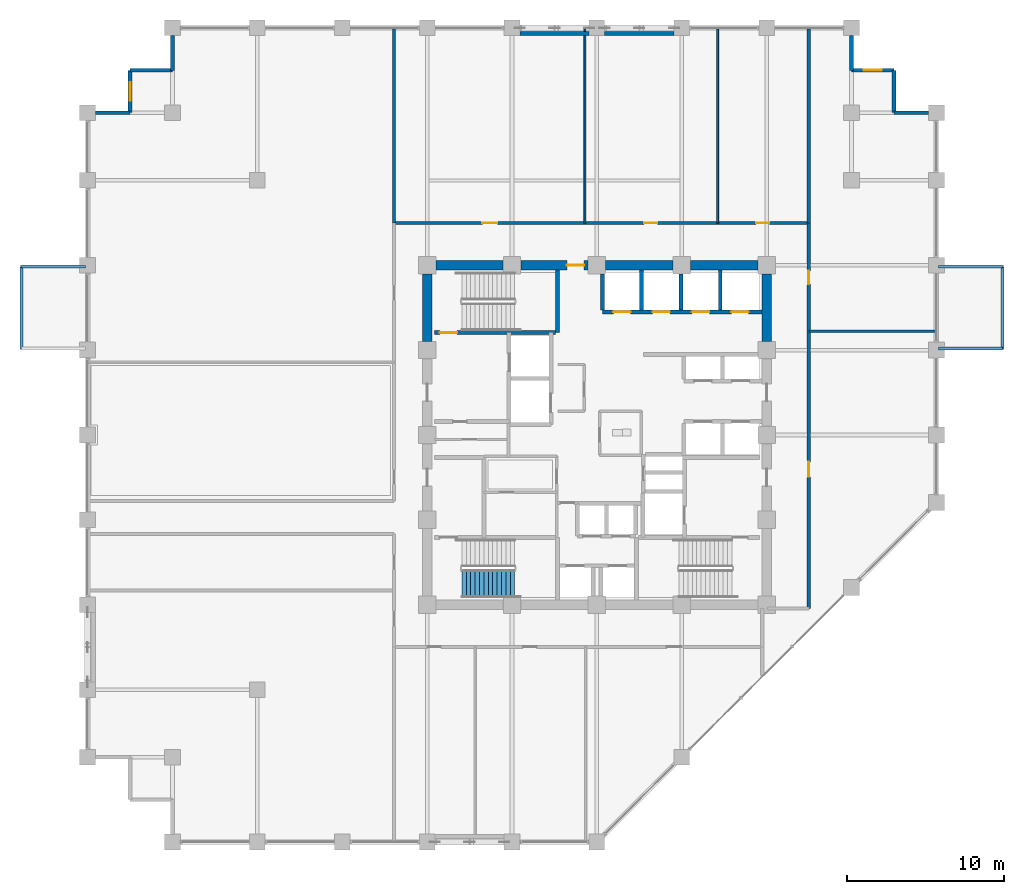
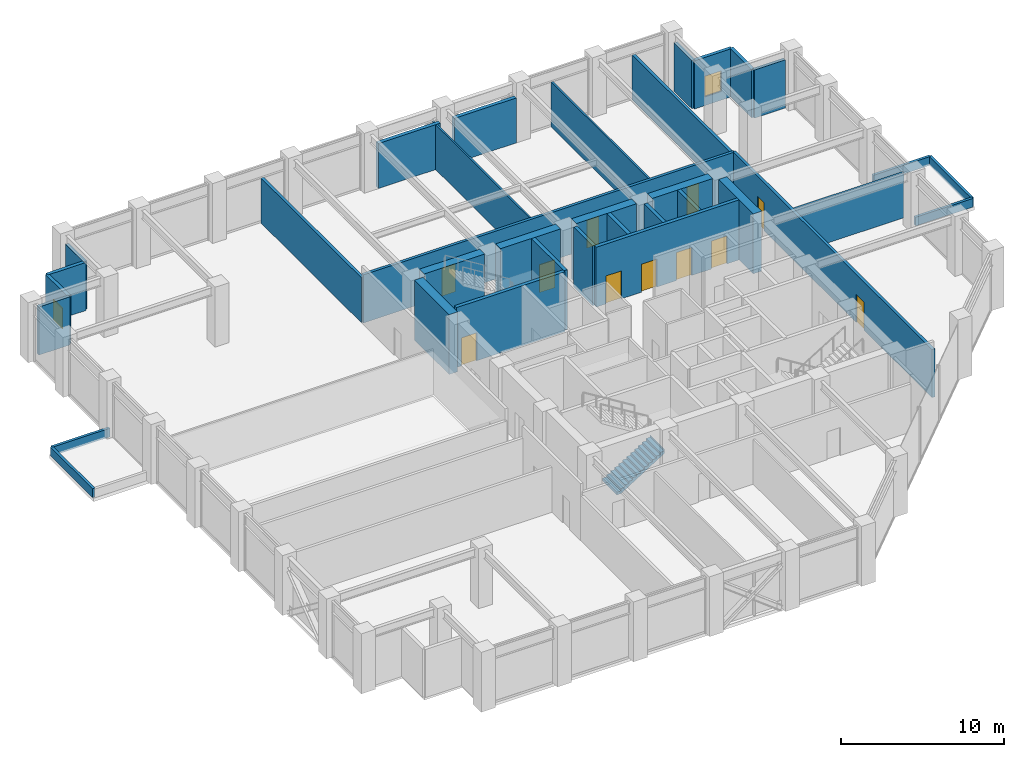
# One storey, part 21 of 25: 35 walls, 11 doors, 2 windows, 1 stair flight, 13 openings, 1 element without a shape of its own.
"""IFC4 building model written with IfcOpenShell, lengths in metres."""

from ifc_helpers import new_model, si_unit, direction, frame, frame_2d, origin, place, context, subcontext, project, spatial, polyline, rectangle, outline, extrude, material, layer, layer_set, type_object, element, fill, aggregate, save


model = new_model("IFC4")

# Units and contexts
model_context = context("Model", 3, precision=1e-05, world=origin(), true_north=direction((0.0, 1.0)))
body_context = subcontext(model_context, "Body", "Model", "MODEL_VIEW")
ifc_project = project(units=[si_unit("LENGTHUNIT", "METRE"), si_unit("AREAUNIT", "SQUARE_METRE"), si_unit("VOLUMEUNIT", "CUBIC_METRE"), si_unit("PLANEANGLEUNIT", "RADIAN"), si_unit("MASSUNIT", "GRAM", prefix="KILO")], contexts=[model_context])

# Site, building, storey
site_placement = place(None, origin())
site = spatial("IfcSite", under=ifc_project, at=site_placement, CompositionType="ELEMENT")
building_placement = place(site_placement, origin())
building = spatial("IfcBuilding", under=site, at=building_placement, Name="Surkhivell Harbour Commons", CompositionType="ELEMENT")
storey_placement = place(building_placement, frame((0.0, 0.0, 162.0)))
storey = spatial("IfcBuildingStorey", under=building, at=storey_placement, Name="L42", CompositionType="ELEMENT", Elevation=162.0)

# Wall
ifc_material_1 = material(Name="Concrete C60/75", Category="concrete")
ifc_layer_1 = layer(ifc_material_1, 0.60009765625)
ifc_layer_set_1 = layer_set([ifc_layer_1], Name="Concrete C60/75")
wall_type_1 = type_object("IfcWallType", Name="WAL-CORE-600", PredefinedType="SHEAR", material=ifc_layer_set_1)
wall_1_placement = place(storey_placement, frame((-10.239990234375, 10.800048828125, 0.0), z_axis=(0.0, 0.0, 1.0), x_axis=(1.0, 0.0, 0.0)))
element("IfcWall", 1, at=wall_1_placement, inside=storey, type_object=wall_type_1, Name="L42 Core Shear Wall North 1", PredefinedType="SHEAR", context=body_context, shape_type="SweptSolid", body=[
    extrude(rectangle(XDim=4.280029296875, YDim=0.60009765625, at=frame_2d((2.14013671875, 0.0))), origin(), (0.0, 0.0, 1.0), 4.5),
])

# Wall, opening, door
wall_2_placement = place(storey_placement, frame((-4.840087890625, 10.800048828125, 0.0), z_axis=(0.0, 0.0, 1.0), x_axis=(1.0, 0.0, 0.0)))
wall_2 = element("IfcWall", 2, at=wall_2_placement, inside=storey, type_object=wall_type_1, Name="L42 Core Shear Wall North 2", PredefinedType="SHEAR", context=body_context, shape_type="SweptSolid", body=[
    extrude(rectangle(XDim=4.280029296875, YDim=0.60009765625, at=frame_2d((2.14013671875, 0.0))), origin(), (0.0, 0.0, 1.0), 4.5),
])
opening_1_placement = place(wall_2_placement, frame((2.929931640625, 0.0, 0.0)))
opening_1 = element("IfcOpeningElement", 3, at=opening_1_placement, cuts=wall_2, Name="Opening ID-2", PredefinedType="OPENING", context=body_context, shape_type="SweptSolid", body=[
    extrude(rectangle(XDim=1.10009765625, YDim=2.10009765625, at=frame_2d((0.550048828125, 1.050048828125))), frame((0.0, 0.31005859375, 0.0), z_axis=(0.0, -1.0, 0.0), x_axis=(1.0, 0.0, 0.0)), (0.0, 0.0, 1.0), 0.6201171875),
])
ifc_material_2 = material(Name="Hardwood-veneered fire-rated door leaf", Category="wood")
door_type_1 = type_object("IfcDoorType", Name="DOR-FD60-1100", OperationType="NOTDEFINED", PredefinedType="DOOR", material=ifc_material_2)
door_1_placement = place(opening_1_placement, origin())
door_1 = element("IfcDoor", 4, at=door_1_placement, inside=storey, type_object=door_type_1, Name="L42 Central Core Lift Hall North Corridor Door", OperationType="SINGLE_SWING_LEFT", OverallHeight=2.10009765625, OverallWidth=1.10009765625, PredefinedType="DOOR", context=body_context, shape_type="SweptSolid", body=[
    extrude(rectangle(XDim=1.10009765625, YDim=2.10009765625, at=frame_2d((0.550048828125, 1.050048828125))), frame((0.0, 0.02490234375, 0.0), z_axis=(0.0, -1.0, 0.0), x_axis=(1.0, 0.0, 0.0)), (0.0, 0.0, 1.0), 0.050048828125),
])
fill(opening_1, door_1)

# Walls
for number, where, z_axis, x_axis, name in (
    (5, (0.56005859375, 10.800048828125, 0.0), (0.0, 0.0, 1.0), (1.0, 0.0, 0.0), "L42 Core Shear Wall North 3"),
    (6, (5.9599609375, 10.800048828125, 0.0), (0.0, 0.0, 1.0), (1.0, 0.0, 0.0), "L42 Core Shear Wall North 4"),
    (7, (-10.800048828125, 5.9599609375, 0.0), (0.0, 0.0, 1.0), (0.0, 1.0, 0.0), "L42 Core Shear Wall West 4"),
    (8, (10.800048828125, 5.9599609375, 0.0), (0.0, 0.0, 1.0), (0.0, 1.0, 0.0), "L42 Core Shear Wall East 4"),
):
    element("IfcWall", number, at=place(storey_placement, frame(where, z_axis=z_axis, x_axis=x_axis)), inside=storey, type_object=wall_type_1, Name=name, PredefinedType="SHEAR", context=body_context, shape_type="SweptSolid", body=[
        extrude(rectangle(XDim=4.280029296875, YDim=0.60009765625, at=frame_2d((2.14013671875, 0.0))), origin(), (0.0, 0.0, 1.0), 4.5),
    ])
ifc_material_3 = material(Name="Pale-metal insulated precast concrete C45/55", Category="concrete")
ifc_layer_2 = layer(ifc_material_3, 0.260009765625)
ifc_layer_set_2 = layer_set([ifc_layer_2], Name="Pale-metal insulated precast concrete C45/55")
wall_type_2 = type_object("IfcWallType", Name="WAL-EXT-MTL260", PredefinedType="STANDARD", material=ifc_layer_set_2)
for number, where, z_axis, x_axis, name in (
    (9, (-0.498046875, 25.5400390625, 0.0), (0.0, 0.0, 1.0), (-1.0, 0.0, 0.0), "L42 Braced-Bay Insulated Spandrel Backing N"),
    (10, (4.902099609375, 25.5400390625, 0.0), (0.0, 0.0, 1.0), (-1.0, 0.0, 0.0), "L42 Braced-Bay Insulated Spandrel Backing N2"),
):
    element("IfcWall", number, at=place(storey_placement, frame(where, z_axis=z_axis, x_axis=x_axis)), inside=storey, type_object=wall_type_2, Name=name, PredefinedType="STANDARD", context=body_context, shape_type="SweptSolid", body=[
        extrude(rectangle(XDim=4.404052734375, YDim=0.260009765625, at=frame_2d((2.2021484375, 0.0))), origin(), (0.0, 0.0, 1.0), 3.37890625),
    ])
ifc_material_4 = material(Name="Bronze-ochre cassette precast concrete C45/55", Category="concrete")
ifc_layer_3 = layer(ifc_material_4, 0.239990234375)
ifc_layer_set_3 = layer_set([ifc_layer_3], Name="Bronze-ochre cassette precast concrete C45/55")
wall_type_3 = type_object("IfcWallType", Name="WAL-EXT-OCH240", PredefinedType="STANDARD", material=ifc_layer_set_3)
wall_3_placement = place(storey_placement, frame((21.10205078125, 20.5, 0.0), z_axis=(0.0, 0.0, 1.0), x_axis=(-1.0, 0.0, 0.0)))
element("IfcWall", 11, at=wall_3_placement, inside=storey, type_object=wall_type_3, Name="L42 Serrated Corner Facade Wall 03", PredefinedType="STANDARD", context=body_context, shape_type="SweptSolid", body=[
    extrude(rectangle(XDim=2.2021484375, YDim=0.239990234375, at=frame_2d((1.10107421875, 0.0))), origin(), (0.0, 0.0, 1.0), 3.613037109375),
])
wall_4_placement = place(storey_placement, frame((18.89990234375, 20.5, 0.0), z_axis=(0.0, 0.0, 1.0), x_axis=(0.0, 1.0, 0.0)))
element("IfcWall", 12, at=wall_4_placement, inside=storey, type_object=wall_type_3, Name="L42 Serrated Corner Facade Wall 04", PredefinedType="STANDARD", context=body_context, shape_type="SweptSolid", body=[
    extrude(rectangle(XDim=2.699951171875, YDim=0.239990234375, at=frame_2d((1.35009765625, 0.0))), origin(), (0.0, 0.0, 1.0), 3.613037109375),
])

# Wall, opening, window
wall_5_placement = place(storey_placement, frame((18.89990234375, 23.199951171875, 0.0), z_axis=(0.0, 0.0, 1.0), x_axis=(-1.0, 0.0, 0.0)))
wall_5 = element("IfcWall", 13, at=wall_5_placement, inside=storey, type_object=wall_type_3, Name="L42 Serrated Corner Facade Wall 05", PredefinedType="STANDARD", context=body_context, shape_type="SweptSolid", body=[
    extrude(rectangle(XDim=2.699951171875, YDim=0.239990234375, at=frame_2d((1.35009765625, 0.0))), origin(), (0.0, 0.0, 1.0), 3.613037109375),
])
opening_2_placement = place(wall_5_placement, frame((0.77490234375, 0.0, 0.64990234375)))
opening_2 = element("IfcOpeningElement", 14, at=opening_2_placement, cuts=wall_5, Name="Opening WN-10", PredefinedType="OPENING", context=body_context, shape_type="SweptSolid", body=[
    extrude(rectangle(XDim=1.14990234375, YDim=1.550048828125, at=frame_2d((0.574951171875, 0.77490234375))), frame((0.0, 0.1298828125, 0.0), z_axis=(0.0, -1.0, 0.0), x_axis=(1.0, 0.0, 0.0)), (0.0, 0.0, 1.0), 0.260009765625),
])
ifc_material_5 = material(Name="Thermal-break aluminium frame and double low-E glazing", Category="aluminium")
window_type = type_object("IfcWindowType", Name="WIN-SER-1150x1550", PartitioningType="SINGLE_PANEL", PredefinedType="WINDOW", material=ifc_material_5)
window_1_placement = place(opening_2_placement, origin())
window_1 = element("IfcWindow", 15, at=window_1_placement, inside=storey, type_object=window_type, Name="L42 Serrated Alcove Window 05", OverallHeight=1.550048828125, OverallWidth=1.14990234375, PartitioningType="SINGLE_PANEL", PredefinedType="WINDOW", context=body_context, shape_type="SweptSolid", body=[
    extrude(rectangle(XDim=1.14990234375, YDim=1.550048828125, at=frame_2d((0.574951171875, 0.77490234375))), frame((0.0, 0.030029296875, 0.0), z_axis=(0.0, -1.0, 0.0), x_axis=(1.0, 0.0, 0.0)), (0.0, 0.0, 1.0), 0.06005859375),
])
fill(opening_2, window_1)

# Walls
for number, where, z_axis, x_axis, name in (
    (16, (16.199951171875, 23.199951171875, 0.0), (0.0, 0.0, 1.0), (0.0, 1.0, 0.0), "L42 Serrated Corner Facade Wall 06"),
    (17, (-27.0, 25.402099609375, 0.0), (0.0, 0.0, 1.0), (0.0, -1.0, 0.0), "L42 Serrated Corner Facade Wall 08"),
):
    element("IfcWall", number, at=place(storey_placement, frame(where, z_axis=z_axis, x_axis=x_axis)), inside=storey, type_object=wall_type_3, Name=name, PredefinedType="STANDARD", context=body_context, shape_type="SweptSolid", body=[
        extrude(rectangle(XDim=2.2021484375, YDim=0.239990234375, at=frame_2d((1.10107421875, 0.0))), origin(), (0.0, 0.0, 1.0), 3.613037109375),
    ])
wall_6_placement = place(storey_placement, frame((-27.0, 23.199951171875, 0.0), z_axis=(0.0, 0.0, 1.0), x_axis=(-1.0, 0.0, 0.0)))
element("IfcWall", 18, at=wall_6_placement, inside=storey, type_object=wall_type_3, Name="L42 Serrated Corner Facade Wall 09", PredefinedType="STANDARD", context=body_context, shape_type="SweptSolid", body=[
    extrude(rectangle(XDim=2.699951171875, YDim=0.239990234375, at=frame_2d((1.35009765625, 0.0))), origin(), (0.0, 0.0, 1.0), 3.613037109375),
])

# Wall, opening, window
wall_7_placement = place(storey_placement, frame((-29.699951171875, 23.199951171875, 0.0), z_axis=(0.0, 0.0, 1.0), x_axis=(0.0, -1.0, 0.0)))
wall_7 = element("IfcWall", 19, at=wall_7_placement, inside=storey, type_object=wall_type_3, Name="L42 Serrated Corner Facade Wall 10", PredefinedType="STANDARD", context=body_context, shape_type="SweptSolid", body=[
    extrude(rectangle(XDim=2.699951171875, YDim=0.239990234375, at=frame_2d((1.35009765625, 0.0))), origin(), (0.0, 0.0, 1.0), 3.613037109375),
])
opening_3_placement = place(wall_7_placement, frame((0.77490234375, 0.0, 0.64990234375)))
opening_3 = element("IfcOpeningElement", 20, at=opening_3_placement, cuts=wall_7, Name="Opening WN-10", PredefinedType="OPENING", context=body_context, shape_type="SweptSolid", body=[
    extrude(rectangle(XDim=1.14990234375, YDim=1.550048828125, at=frame_2d((0.574951171875, 0.77490234375))), frame((0.0, 0.1298828125, 0.0), z_axis=(0.0, -1.0, 0.0), x_axis=(1.0, 0.0, 0.0)), (0.0, 0.0, 1.0), 0.260009765625),
])
window_2_placement = place(opening_3_placement, origin())
window_2 = element("IfcWindow", 21, at=window_2_placement, inside=storey, type_object=window_type, Name="L42 Serrated Alcove Window 10", OverallHeight=1.550048828125, OverallWidth=1.14990234375, PartitioningType="SINGLE_PANEL", PredefinedType="WINDOW", context=body_context, shape_type="SweptSolid", body=[
    extrude(rectangle(XDim=1.14990234375, YDim=1.550048828125, at=frame_2d((0.574951171875, 0.77490234375))), frame((0.0, 0.030029296875, 0.0), z_axis=(0.0, -1.0, 0.0), x_axis=(1.0, 0.0, 0.0)), (0.0, 0.0, 1.0), 0.06005859375),
])
fill(opening_3, window_2)

# Walls
wall_8_placement = place(storey_placement, frame((-29.699951171875, 20.5, 0.0), z_axis=(0.0, 0.0, 1.0), x_axis=(-1.0, 0.0, 0.0)))
element("IfcWall", 22, at=wall_8_placement, inside=storey, type_object=wall_type_3, Name="L42 Serrated Corner Facade Wall 11", PredefinedType="STANDARD", context=body_context, shape_type="SweptSolid", body=[
    extrude(rectangle(XDim=2.2021484375, YDim=0.239990234375, at=frame_2d((1.10107421875, 0.0))), origin(), (0.0, 0.0, 1.0), 3.613037109375),
])
ifc_material_6 = material(Name="Moisture-resistant acoustic stud partition", Category="other")
ifc_layer_4 = layer(ifc_material_6, 0.125)
ifc_layer_set_4 = layer_set([ifc_layer_4], Name="Moisture-resistant acoustic stud partition")
wall_type_4 = type_object("IfcWallType", Name="WAL-INT-125", PredefinedType="PARTITIONING", material=ifc_layer_set_4)
for number, where, z_axis, x_axis, name in (
    (23, (-0.77001953125, 13.47998046875, 0.0), (0.0, 0.0, 1.0), (0.0, 1.0, 0.0), "L42 North Partition P1"),
    (24, (7.679931640625, 13.47998046875, 0.0), (0.0, 0.0, 1.0), (0.0, 1.0, 0.0), "L42 North Partition P2"),
):
    element("IfcWall", number, at=place(storey_placement, frame(where, z_axis=z_axis, x_axis=x_axis)), inside=storey, type_object=wall_type_4, Name=name, PredefinedType="PARTITIONING", context=body_context, shape_type="SweptSolid", body=[
        extrude(rectangle(XDim=12.360107421875, YDim=0.125, at=frame_2d((6.18017578125, 0.0))), origin(), (0.0, 0.0, 1.0), 3.37890625),
    ])
ifc_material_7 = material(Name="Twin-stud acoustic fireboard partition", Category="other")
ifc_layer_5 = layer(ifc_material_7, 0.14990234375)
ifc_layer_set_5 = layer_set([ifc_layer_5], Name="Twin-stud acoustic fireboard partition")
wall_type_5 = type_object("IfcWallType", Name="WAL-INT-150", PredefinedType="PARTITIONING", material=ifc_layer_set_5)
wall_9_placement = place(storey_placement, frame((13.47998046875, 6.610107421875, 0.0), z_axis=(0.0, 0.0, 1.0), x_axis=(1.0, 0.0, 0.0)))
element("IfcWall", 25, at=wall_9_placement, inside=storey, type_object=wall_type_5, Name="L42 East Partition P1", PredefinedType="PARTITIONING", context=body_context, shape_type="SweptSolid", body=[
    extrude(rectangle(XDim=8.06005859375, YDim=0.14990234375, at=frame_2d((4.030029296875, 0.0))), origin(), (0.0, 0.0, 1.0), 3.37890625),
])
ifc_material_8 = material(Name="Autoclaved aerated concrete blockwork and fire plaster", Category="masonry")
ifc_layer_6 = layer(ifc_material_8, 0.199951171875)
ifc_layer_set_6 = layer_set([ifc_layer_6], Name="Autoclaved aerated concrete blockwork and fire plaster")
wall_type_6 = type_object("IfcWallType", Name="WAL-INT-200", PredefinedType="PARTITIONING", material=ifc_layer_set_6)
for number, where, z_axis, x_axis, name in (
    (26, (13.47998046875, 13.47998046875, 0.0), (0.0, 0.0, 1.0), (0.0, 1.0, 0.0), "L42 North-East Wing Corner Divider"),
    (27, (-12.89990234375, 13.47998046875, 0.0), (0.0, 0.0, 1.0), (0.0, 1.0, 0.0), "L42 North-West Wing Corner Divider"),
):
    element("IfcWall", number, at=place(storey_placement, frame(where, z_axis=z_axis, x_axis=x_axis)), inside=storey, type_object=wall_type_6, Name=name, PredefinedType="PARTITIONING", context=body_context, shape_type="SweptSolid", body=[
        extrude(rectangle(XDim=12.360107421875, YDim=0.199951171875, at=frame_2d((6.18017578125, 0.0))), origin(), (0.0, 0.0, 1.0), 3.37890625),
    ])

# Wall, openings, doors
wall_10_placement = place(storey_placement, frame((13.47998046875, -11.0400390625, 0.0), z_axis=(0.0, 0.0, 1.0), x_axis=(0.0, 1.0, 0.0)))
wall_10 = element("IfcWall", 28, at=wall_10_placement, inside=storey, type_object=wall_type_6, Name="L42 Corridor East Wall", PredefinedType="PARTITIONING", context=body_context, shape_type="SweptSolid", body=[
    extrude(rectangle(XDim=24.52001953125, YDim=0.199951171875, at=frame_2d((12.260009765625, 0.0))), origin(), (0.0, 0.0, 1.0), 3.613037109375),
])
opening_4_placement = place(wall_10_placement, frame((8.375, 0.0, 0.0)))
opening_4 = element("IfcOpeningElement", 29, at=opening_4_placement, cuts=wall_10, Name="Opening ID-4", PredefinedType="OPENING", context=body_context, shape_type="SweptSolid", body=[
    extrude(rectangle(XDim=0.949951171875, YDim=2.10009765625, at=frame_2d((0.47509765625, 1.050048828125))), frame((0.0, 0.10986328125, 0.0), z_axis=(0.0, -1.0, 0.0), x_axis=(1.0, 0.0, 0.0)), (0.0, 0.0, 1.0), 0.219970703125),
])
opening_5_placement = place(wall_10_placement, frame((20.635009765625, 0.0, 0.0)))
opening_5 = element("IfcOpeningElement", 30, at=opening_5_placement, cuts=wall_10, Name="Opening ID-6", PredefinedType="OPENING", context=body_context, shape_type="SweptSolid", body=[
    extrude(rectangle(XDim=0.85009765625, YDim=2.10009765625, at=frame_2d((0.425048828125, 1.050048828125))), frame((0.0, 0.10986328125, 0.0), z_axis=(0.0, -1.0, 0.0), x_axis=(1.0, 0.0, 0.0)), (0.0, 0.0, 1.0), 0.219970703125),
])
door_type_2 = type_object("IfcDoorType", Name="DOR-FD30-850", OperationType="NOTDEFINED", PredefinedType="DOOR", material=ifc_material_2)
door_2_placement = place(opening_5_placement, origin())
door_2 = element("IfcDoor", 31, at=door_2_placement, inside=storey, type_object=door_type_2, Name="L42 Resident Advisory Reception Desk East Door", OperationType="SINGLE_SWING_RIGHT", OverallHeight=2.10009765625, OverallWidth=0.85009765625, PredefinedType="DOOR", context=body_context, shape_type="SweptSolid", body=[
    extrude(rectangle(XDim=0.85009765625, YDim=2.10009765625, at=frame_2d((0.425048828125, 1.050048828125))), frame((0.0, 0.02490234375, 0.0), z_axis=(0.0, -1.0, 0.0), x_axis=(1.0, 0.0, 0.0)), (0.0, 0.0, 1.0), 0.050048828125),
])
fill(opening_5, door_2)
door_type_3 = type_object("IfcDoorType", Name="DOR-FD60-950", OperationType="NOTDEFINED", PredefinedType="DOOR", material=ifc_material_2)
door_3_placement = place(opening_4_placement, origin())
door_3 = element("IfcDoor", 32, at=door_3_placement, inside=storey, type_object=door_type_3, Name="L42 Zone Concierge Reception Foyer East Door", OperationType="SINGLE_SWING_LEFT", OverallHeight=2.10009765625, OverallWidth=0.949951171875, PredefinedType="DOOR", context=body_context, shape_type="SweptSolid", body=[
    extrude(rectangle(XDim=0.949951171875, YDim=2.10009765625, at=frame_2d((0.47509765625, 1.050048828125))), frame((0.0, 0.02490234375, 0.0), z_axis=(0.0, -1.0, 0.0), x_axis=(1.0, 0.0, 0.0)), (0.0, 0.0, 1.0), 0.050048828125),
])
fill(opening_4, door_3)

wall_11_placement = place(storey_placement, frame((-12.89990234375, 13.47998046875, 0.0), z_axis=(0.0, 0.0, 1.0), x_axis=(1.0, 0.0, 0.0)))
wall_11 = element("IfcWall", 33, at=wall_11_placement, inside=storey, type_object=wall_type_6, Name="L42 Corridor North Wall", PredefinedType="PARTITIONING", context=body_context, shape_type="SweptSolid", body=[
    extrude(rectangle(XDim=26.3798828125, YDim=0.199951171875, at=frame_2d((13.18994140625, 0.0))), origin(), (0.0, 0.0, 1.0), 3.613037109375),
])
opening_6_placement = place(wall_11_placement, frame((5.614990234375, 0.0, 0.0)))
opening_6 = element("IfcOpeningElement", 34, at=opening_6_placement, cuts=wall_11, Name="Opening ID-4", PredefinedType="OPENING", context=body_context, shape_type="SweptSolid", body=[
    extrude(rectangle(XDim=0.949951171875, YDim=2.10009765625, at=frame_2d((0.47509765625, 1.050048828125))), frame((0.0, 0.10986328125, 0.0), z_axis=(0.0, -1.0, 0.0), x_axis=(1.0, 0.0, 0.0)), (0.0, 0.0, 1.0), 0.219970703125),
])
opening_7_placement = place(wall_11_placement, frame((15.905029296875, 0.0, 0.0)))
opening_7 = element("IfcOpeningElement", 35, at=opening_7_placement, cuts=wall_11, Name="Opening ID-6", PredefinedType="OPENING", context=body_context, shape_type="SweptSolid", body=[
    extrude(rectangle(XDim=0.85009765625, YDim=2.10009765625, at=frame_2d((0.425048828125, 1.050048828125))), frame((0.0, 0.10986328125, 0.0), z_axis=(0.0, -1.0, 0.0), x_axis=(1.0, 0.0, 0.0)), (0.0, 0.0, 1.0), 0.219970703125),
])
opening_8_placement = place(wall_11_placement, frame((23.030029296875, 0.0, 0.0)))
opening_8 = element("IfcOpeningElement", 36, at=opening_8_placement, cuts=wall_11, Name="Opening ID-6", PredefinedType="OPENING", context=body_context, shape_type="SweptSolid", body=[
    extrude(rectangle(XDim=0.85009765625, YDim=2.10009765625, at=frame_2d((0.425048828125, 1.050048828125))), frame((0.0, 0.10986328125, 0.0), z_axis=(0.0, -1.0, 0.0), x_axis=(1.0, 0.0, 0.0)), (0.0, 0.0, 1.0), 0.219970703125),
])
door_4_placement = place(opening_7_placement, origin())
door_4 = element("IfcDoor", 37, at=door_4_placement, inside=storey, type_object=door_type_2, Name="L42 Harbour Social Lounge North Door", OperationType="SINGLE_SWING_LEFT", OverallHeight=2.10009765625, OverallWidth=0.85009765625, PredefinedType="DOOR", context=body_context, shape_type="SweptSolid", body=[
    extrude(rectangle(XDim=0.85009765625, YDim=2.10009765625, at=frame_2d((0.425048828125, 1.050048828125))), frame((0.0, 0.02490234375, 0.0), z_axis=(0.0, -1.0, 0.0), x_axis=(1.0, 0.0, 0.0)), (0.0, 0.0, 1.0), 0.050048828125),
])
fill(opening_7, door_4)
door_5_placement = place(opening_8_placement, origin())
door_5 = element("IfcDoor", 38, at=door_5_placement, inside=storey, type_object=door_type_2, Name="L42 Resident Social Lounge 3 North Door", OperationType="SINGLE_SWING_RIGHT", OverallHeight=2.10009765625, OverallWidth=0.85009765625, PredefinedType="DOOR", context=body_context, shape_type="SweptSolid", body=[
    extrude(rectangle(XDim=0.85009765625, YDim=2.10009765625, at=frame_2d((0.425048828125, 1.050048828125))), frame((0.0, 0.02490234375, 0.0), z_axis=(0.0, -1.0, 0.0), x_axis=(1.0, 0.0, 0.0)), (0.0, 0.0, 1.0), 0.050048828125),
])
fill(opening_8, door_5)
door_6_placement = place(opening_6_placement, origin())
door_6 = element("IfcDoor", 39, at=door_6_placement, inside=storey, type_object=door_type_3, Name="L42 Harbour Social Lounge North Door", OperationType="SINGLE_SWING_RIGHT", OverallHeight=2.10009765625, OverallWidth=0.949951171875, PredefinedType="DOOR", context=body_context, shape_type="SweptSolid", body=[
    extrude(rectangle(XDim=0.949951171875, YDim=2.10009765625, at=frame_2d((0.47509765625, 1.050048828125))), frame((0.0, 0.02490234375, 0.0), z_axis=(0.0, -1.0, 0.0), x_axis=(1.0, 0.0, 0.0)), (0.0, 0.0, 1.0), 0.050048828125),
])
fill(opening_6, door_6)

# Walls
ifc_material_9 = material(Name="Anodised aluminium and precast concrete C40/50", Category="concrete")
ifc_layer_7 = layer(ifc_material_9, 0.18505859375)
ifc_layer_set_7 = layer_set([ifc_layer_7], Name="Anodised aluminium and precast concrete C40/50")
wall_type_7 = type_object("IfcWallType", Name="WAL-PAR-185", PredefinedType="PARAPET", material=ifc_layer_set_7)
wall_12_placement = place(storey_placement, frame((21.719970703125, 5.5, 0.0), z_axis=(0.0, 0.0, 1.0), x_axis=(1.0, 0.0, 0.0)))
element("IfcWall", 40, at=wall_12_placement, inside=storey, type_object=wall_type_7, Name="L42 Box Roof Coping Parapet 1-1", PredefinedType="PARAPET", context=body_context, shape_type="SweptSolid", body=[
    extrude(rectangle(XDim=4.080078125, YDim=0.18505859375, at=frame_2d((2.0400390625, 0.0))), origin(), (0.0, 0.0, 1.0), 0.64990234375),
])
wall_13_placement = place(storey_placement, frame((25.800048828125, 5.5, 0.0), z_axis=(0.0, 0.0, 1.0), x_axis=(0.0, 1.0, 0.0)))
element("IfcWall", 41, at=wall_13_placement, inside=storey, type_object=wall_type_7, Name="L42 Box Roof Coping Parapet 1-2", PredefinedType="PARAPET", context=body_context, shape_type="SweptSolid", body=[
    extrude(rectangle(XDim=5.199951171875, YDim=0.18505859375, at=frame_2d((2.60009765625, 0.0))), origin(), (0.0, 0.0, 1.0), 0.64990234375),
])
for number, where, z_axis, x_axis, name in (
    (42, (25.800048828125, 10.699951171875, 0.0), (0.0, 0.0, 1.0), (-1.0, 0.0, 0.0), "L42 Box Roof Coping Parapet 1-3"),
    (43, (-32.52001953125, 10.699951171875, 0.0), (0.0, 0.0, 1.0), (-1.0, 0.0, 0.0), "L42 Box Roof Coping Parapet 2-1"),
):
    element("IfcWall", number, at=place(storey_placement, frame(where, z_axis=z_axis, x_axis=x_axis)), inside=storey, type_object=wall_type_7, Name=name, PredefinedType="PARAPET", context=body_context, shape_type="SweptSolid", body=[
        extrude(rectangle(XDim=4.080078125, YDim=0.18505859375, at=frame_2d((2.0400390625, 0.0))), origin(), (0.0, 0.0, 1.0), 0.64990234375),
    ])
wall_14_placement = place(storey_placement, frame((-36.60009765625, 10.699951171875, 0.0), z_axis=(0.0, 0.0, 1.0), x_axis=(0.0, -1.0, 0.0)))
element("IfcWall", 44, at=wall_14_placement, inside=storey, type_object=wall_type_7, Name="L42 Box Roof Coping Parapet 2-2", PredefinedType="PARAPET", context=body_context, shape_type="SweptSolid", body=[
    extrude(rectangle(XDim=5.199951171875, YDim=0.18505859375, at=frame_2d((2.60009765625, 0.0))), origin(), (0.0, 0.0, 1.0), 0.64990234375),
])
ifc_material_10 = material(Name="Concrete C50/60", Category="concrete")
ifc_layer_8 = layer(ifc_material_10, 0.25)
ifc_layer_set_8 = layer_set([ifc_layer_8], Name="Concrete C50/60")
wall_type_8 = type_object("IfcWallType", Name="WAL-SHAFT-250", PredefinedType="SHEAR", material=ifc_layer_set_8)
wall_15_placement = place(storey_placement, frame((2.85009765625, 7.93994140625, 0.0), z_axis=(0.0, 0.0, 1.0), x_axis=(0.0, 1.0, 0.0)))
element("IfcWall", 45, at=wall_15_placement, inside=storey, type_object=wall_type_8, Name="L42 Low-Rise Hoistway Wall", PredefinedType="SHEAR", context=body_context, shape_type="SweptSolid", body=[
    extrude(rectangle(XDim=2.56005859375, YDim=0.25, at=frame_2d((1.280029296875, 0.0))), origin(), (0.0, 0.0, 1.0), 4.5),
])
for number, where, z_axis, x_axis, name in (
    (46, (0.35009765625, 7.93994140625, 0.0), (0.0, 0.0, 1.0), (0.0, 1.0, 0.0), "L42 Low-Rise Hoistway Wall"),
    (47, (5.35009765625, 7.93994140625, 0.0), (0.0, 0.0, 1.0), (0.0, 1.0, 0.0), "L42 Low-Rise Hoistway Wall"),
):
    element("IfcWall", number, at=place(storey_placement, frame(where, z_axis=z_axis, x_axis=x_axis)), inside=storey, type_object=wall_type_8, Name=name, PredefinedType="SHEAR", context=body_context, shape_type="SweptSolid", body=[
        extrude(rectangle(XDim=2.31005859375, YDim=0.25, at=frame_2d((1.155029296875, 0.0))), origin(), (0.0, 0.0, 1.0), 4.5),
    ])
wall_16_placement = place(storey_placement, frame((7.85009765625, 7.93994140625, 0.0), z_axis=(0.0, 0.0, 1.0), x_axis=(0.0, 1.0, 0.0)))
element("IfcWall", 48, at=wall_16_placement, inside=storey, type_object=wall_type_8, Name="L42 Low-Rise Hoistway Wall", PredefinedType="SHEAR", context=body_context, shape_type="SweptSolid", body=[
    extrude(rectangle(XDim=2.56005859375, YDim=0.25, at=frame_2d((1.280029296875, 0.0))), origin(), (0.0, 0.0, 1.0), 4.5),
])

# Wall, openings, doors
wall_17_placement = place(storey_placement, frame((0.35009765625, 7.820068359375, 0.0), z_axis=(0.0, 0.0, 1.0), x_axis=(1.0, 0.0, 0.0)))
wall_17 = element("IfcWall", 49, at=wall_17_placement, inside=storey, type_object=wall_type_8, Name="L42 Low-Rise Lift Front Shaft Wall", PredefinedType="SHEAR", context=body_context, shape_type="SweptSolid", body=[
    extrude(rectangle(XDim=10.14990234375, YDim=0.25, at=frame_2d((5.074951171875, 0.0))), origin(), (0.0, 0.0, 1.0), 4.5),
])
opening_9_placement = place(wall_17_placement, frame((0.699951171875, 0.0, 0.0)))
opening_9 = element("IfcOpeningElement", 50, at=opening_9_placement, cuts=wall_17, Name="Opening LD-1", PredefinedType="OPENING", context=body_context, shape_type="SweptSolid", body=[
    extrude(rectangle(XDim=1.10009765625, YDim=2.10009765625, at=frame_2d((0.550048828125, 1.050048828125))), frame((0.0, 0.135009765625, 0.0), z_axis=(0.0, -1.0, 0.0), x_axis=(1.0, 0.0, 0.0)), (0.0, 0.0, 1.0), 0.27001953125),
])
opening_10_placement = place(wall_17_placement, frame((3.199951171875, 0.0, 0.0)))
opening_10 = element("IfcOpeningElement", 51, at=opening_10_placement, cuts=wall_17, Name="Opening LD-1", PredefinedType="OPENING", context=body_context, shape_type="SweptSolid", body=[
    extrude(rectangle(XDim=1.10009765625, YDim=2.10009765625, at=frame_2d((0.550048828125, 1.050048828125))), frame((0.0, 0.135009765625, 0.0), z_axis=(0.0, -1.0, 0.0), x_axis=(1.0, 0.0, 0.0)), (0.0, 0.0, 1.0), 0.27001953125),
])
opening_11_placement = place(wall_17_placement, frame((5.699951171875, 0.0, 0.0)))
opening_11 = element("IfcOpeningElement", 52, at=opening_11_placement, cuts=wall_17, Name="Opening LD-1", PredefinedType="OPENING", context=body_context, shape_type="SweptSolid", body=[
    extrude(rectangle(XDim=1.10009765625, YDim=2.10009765625, at=frame_2d((0.550048828125, 1.050048828125))), frame((0.0, 0.135009765625, 0.0), z_axis=(0.0, -1.0, 0.0), x_axis=(1.0, 0.0, 0.0)), (0.0, 0.0, 1.0), 0.27001953125),
])
opening_12_placement = place(wall_17_placement, frame((8.199951171875, 0.0, 0.0)))
opening_12 = element("IfcOpeningElement", 53, at=opening_12_placement, cuts=wall_17, Name="Opening LD-1", PredefinedType="OPENING", context=body_context, shape_type="SweptSolid", body=[
    extrude(rectangle(XDim=1.10009765625, YDim=2.10009765625, at=frame_2d((0.550048828125, 1.050048828125))), frame((0.0, 0.135009765625, 0.0), z_axis=(0.0, -1.0, 0.0), x_axis=(1.0, 0.0, 0.0)), (0.0, 0.0, 1.0), 0.27001953125),
])
ifc_material_11 = material(Name="Brushed stainless steel S355", Category="steel")
door_type_4 = type_object("IfcDoorType", Name="DOR-LD-1100", OperationType="SLIDING_TO_LEFT", PredefinedType="DOOR", material=ifc_material_11)
door_7_placement = place(opening_9_placement, origin())
door_7 = element("IfcDoor", 54, at=door_7_placement, inside=storey, type_object=door_type_4, Name="L42 Lift Landing Door LD-PL1", OperationType="SLIDING_TO_LEFT", OverallHeight=2.10009765625, OverallWidth=1.10009765625, PredefinedType="DOOR", context=body_context, shape_type="SweptSolid", body=[
    extrude(rectangle(XDim=1.10009765625, YDim=2.10009765625, at=frame_2d((0.550048828125, 1.050048828125))), frame((0.0, 0.02490234375, 0.0), z_axis=(0.0, -1.0, 0.0), x_axis=(1.0, 0.0, 0.0)), (0.0, 0.0, 1.0), 0.050048828125),
])
fill(opening_9, door_7)
door_8_placement = place(opening_10_placement, origin())
door_8 = element("IfcDoor", 55, at=door_8_placement, inside=storey, type_object=door_type_4, Name="L42 Lift Landing Door LD-PL2", OperationType="SLIDING_TO_LEFT", OverallHeight=2.10009765625, OverallWidth=1.10009765625, PredefinedType="DOOR", context=body_context, shape_type="SweptSolid", body=[
    extrude(rectangle(XDim=1.10009765625, YDim=2.10009765625, at=frame_2d((0.550048828125, 1.050048828125))), frame((0.0, 0.02490234375, 0.0), z_axis=(0.0, -1.0, 0.0), x_axis=(1.0, 0.0, 0.0)), (0.0, 0.0, 1.0), 0.050048828125),
])
fill(opening_10, door_8)
door_9_placement = place(opening_11_placement, origin())
door_9 = element("IfcDoor", 56, at=door_9_placement, inside=storey, type_object=door_type_4, Name="L42 Lift Landing Door LD-PL3", OperationType="SLIDING_TO_LEFT", OverallHeight=2.10009765625, OverallWidth=1.10009765625, PredefinedType="DOOR", context=body_context, shape_type="SweptSolid", body=[
    extrude(rectangle(XDim=1.10009765625, YDim=2.10009765625, at=frame_2d((0.550048828125, 1.050048828125))), frame((0.0, 0.02490234375, 0.0), z_axis=(0.0, -1.0, 0.0), x_axis=(1.0, 0.0, 0.0)), (0.0, 0.0, 1.0), 0.050048828125),
])
fill(opening_11, door_9)
door_10_placement = place(opening_12_placement, origin())
door_10 = element("IfcDoor", 57, at=door_10_placement, inside=storey, type_object=door_type_4, Name="L42 Lift Landing Door LD-PL4", OperationType="SLIDING_TO_LEFT", OverallHeight=2.10009765625, OverallWidth=1.10009765625, PredefinedType="DOOR", context=body_context, shape_type="SweptSolid", body=[
    extrude(rectangle(XDim=1.10009765625, YDim=2.10009765625, at=frame_2d((0.550048828125, 1.050048828125))), frame((0.0, 0.02490234375, 0.0), z_axis=(0.0, -1.0, 0.0), x_axis=(1.0, 0.0, 0.0)), (0.0, 0.0, 1.0), 0.050048828125),
])
fill(opening_12, door_10)

# Wall
wall_18_placement = place(storey_placement, frame((-2.510009765625, 6.510009765625, 0.0), z_axis=(0.0, 0.0, 1.0), x_axis=(0.0, 1.0, 0.0)))
element("IfcWall", 58, at=wall_18_placement, inside=storey, type_object=wall_type_8, Name="L42 Stair ST1 East Shear Wall", PredefinedType="SHEAR", context=body_context, shape_type="SweptSolid", body=[
    extrude(rectangle(XDim=3.989990234375, YDim=0.25, at=frame_2d((1.9951171875, 0.0))), origin(), (0.0, 0.0, 1.0), 4.5),
])

# Wall, opening, door
wall_19_placement = place(storey_placement, frame((-10.340087890625, 6.510009765625, 0.0), z_axis=(0.0, 0.0, 1.0), x_axis=(1.0, 0.0, 0.0)))
wall_19 = element("IfcWall", 59, at=wall_19_placement, inside=storey, type_object=wall_type_8, Name="L42 Stair ST1 South Shear Wall", PredefinedType="SHEAR", context=body_context, shape_type="SweptSolid", body=[
    extrude(rectangle(XDim=7.7001953125, YDim=0.25, at=frame_2d((3.85009765625, 0.0))), origin(), (0.0, 0.0, 1.0), 4.5),
])
opening_13_placement = place(wall_19_placement, frame((0.35009765625, 0.0, 0.0)))
opening_13 = element("IfcOpeningElement", 60, at=opening_13_placement, cuts=wall_19, Name="Opening ID-2", PredefinedType="OPENING", context=body_context, shape_type="SweptSolid", body=[
    extrude(rectangle(XDim=1.10009765625, YDim=2.10009765625, at=frame_2d((0.550048828125, 1.050048828125))), frame((0.0, 0.135009765625, 0.0), z_axis=(0.0, -1.0, 0.0), x_axis=(1.0, 0.0, 0.0)), (0.0, 0.0, 1.0), 0.27001953125),
])
door_11_placement = place(opening_13_placement, origin())
door_11 = element("IfcDoor", 61, at=door_11_placement, inside=storey, type_object=door_type_1, Name="L42 Stair ST1 Exit Door", OperationType="SINGLE_SWING_LEFT", OverallHeight=2.10009765625, OverallWidth=1.10009765625, PredefinedType="DOOR", context=body_context, shape_type="SweptSolid", body=[
    extrude(rectangle(XDim=1.10009765625, YDim=2.10009765625, at=frame_2d((0.550048828125, 1.050048828125))), frame((0.0, 0.02490234375, 0.0), z_axis=(0.0, -1.0, 0.0), x_axis=(1.0, 0.0, 0.0)), (0.0, 0.0, 1.0), 0.050048828125),
])
fill(opening_13, door_11)

# Stair, stair flight
ifc_material_12 = material(Name="Precast concrete C45/55", Category="concrete")
stair_type = type_object("IfcStairType", Name="STR-DL-450", PredefinedType="HALF_TURN_STAIR", material=ifc_material_12)
stair_placement = place(storey_placement, origin())
stair = element("IfcStair", 62, at=stair_placement, inside=storey, type_object=stair_type, Name="L42 Core Exit Stair ST3", PredefinedType="HALF_TURN_STAIR")
stair_flight_type = type_object("IfcStairFlightType", Name="STF-DL-450", PredefinedType="STRAIGHT", material=ifc_material_12)
stair_flight_placement = place(storey_placement, frame((-8.590087890625, -9.465087890625, 0.0), z_axis=(0.0, 0.0, 1.0), x_axis=(1.0, 0.0, 0.0)))
stair_flight = element("IfcStairFlight", 63, at=stair_flight_placement, type_object=stair_flight_type, Name="ST3 flight 1", NumberOfRisers=13, NumberOfTreads=12, PredefinedType="STRAIGHT", RiserHeight=0.173076923, TreadLength=0.28, context=body_context, shape_type="SweptSolid", body=[
    extrude(outline(polyline([(-0.0029296875, -0.034912109375), (-0.0029296875, 0.0), (0.0, 0.0), (0.0, 0.173095703125), (0.280029296875, 0.173095703125), (0.280029296875, 0.34619140625), (0.56005859375, 0.34619140625), (0.56005859375, 0.519287109375), (0.840087890625, 0.519287109375), (0.840087890625, 0.6923828125), (1.1201171875, 0.6923828125), (1.1201171875, 0.865478515625), (1.39990234375, 0.865478515625), (1.39990234375, 1.03857421875), (1.679931640625, 1.03857421875), (1.679931640625, 1.21142578125), (1.9599609375, 1.21142578125), (1.9599609375, 1.384521484375), (2.239990234375, 1.384521484375), (2.239990234375, 1.5576171875), (2.52001953125, 1.5576171875), (2.52001953125, 1.730712890625), (2.800048828125, 1.730712890625), (2.800048828125, 1.90380859375), (3.080078125, 1.90380859375), (3.080078125, 2.076904296875), (3.360107421875, 2.076904296875), (3.360107421875, 2.25), (3.363037109375, 2.25), (3.363037109375, 1.900634765625), (0.28515625, -0.034912109375), (-0.0029296875, -0.034912109375)])), frame((0.0, 0.875, 0.0), z_axis=(0.0, -1.0, 0.0), x_axis=(1.0, 0.0, 0.0)), (0.0, 0.0, 1.0), 1.75),
])
aggregate(stair, [stair_flight])

save(model, "model.ifc")
